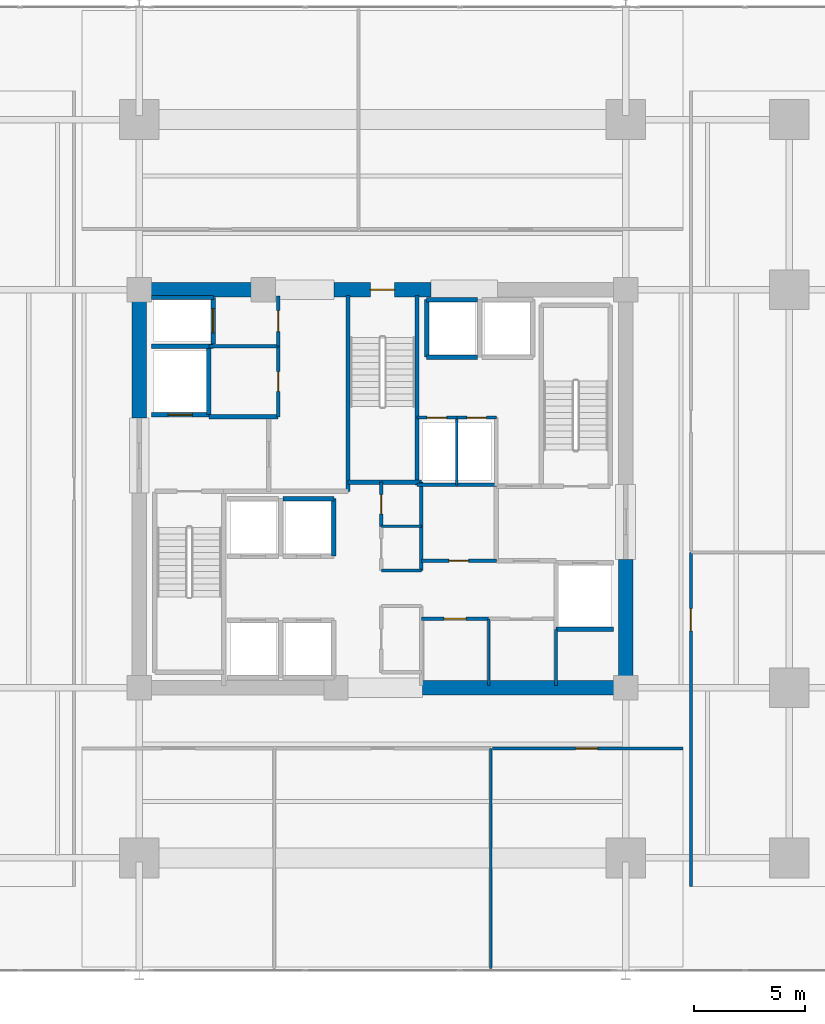
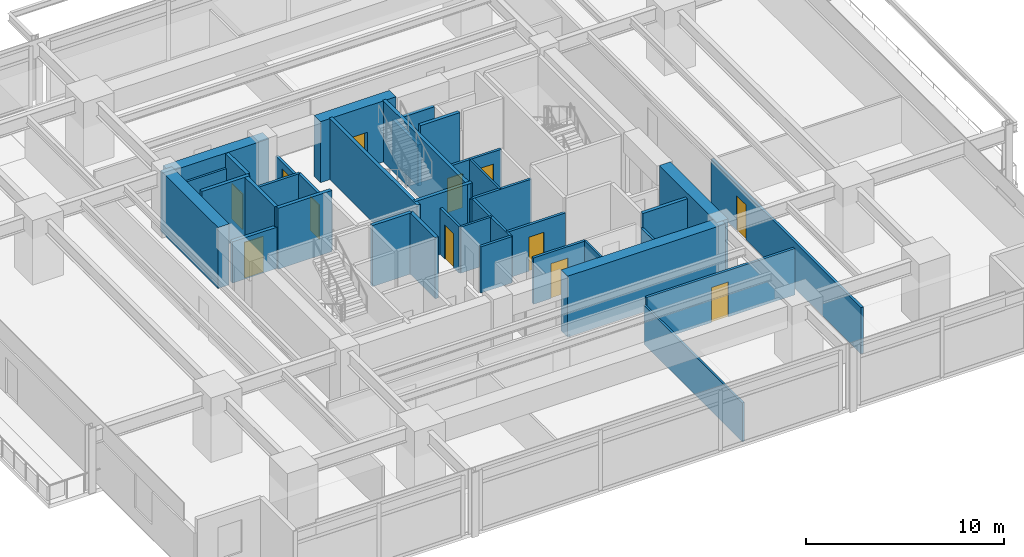
# One storey, part 14 of 20: 38 walls, 12 doors, 12 openings.
"""IFC4 building model written with IfcOpenShell, lengths in metres."""

from ifc_helpers import new_model, si_unit, direction, frame, frame_2d, origin, place, context, subcontext, project, spatial, rectangle, extrude, material, layer, layer_set, type_object, element, fill, save


model = new_model("IFC4")

# Units and contexts
model_context = context("Model", 3, precision=1e-05, world=origin(), true_north=direction((0.0, 1.0)))
body_context = subcontext(model_context, "Body", "Model", "MODEL_VIEW")
ifc_project = project(units=[si_unit("LENGTHUNIT", "METRE"), si_unit("AREAUNIT", "SQUARE_METRE"), si_unit("VOLUMEUNIT", "CUBIC_METRE"), si_unit("PLANEANGLEUNIT", "RADIAN"), si_unit("MASSUNIT", "GRAM", prefix="KILO")], contexts=[model_context])

# Site, building, storey
site_placement = place(None, origin())
site = spatial("IfcSite", under=ifc_project, at=site_placement, CompositionType="ELEMENT")
building_placement = place(site_placement, origin())
building = spatial("IfcBuilding", under=site, at=building_placement, Name="Kovane Verandah Tower", CompositionType="ELEMENT")
storey_placement = place(building_placement, frame((0.0, 0.0, 35.60009765625)))
storey = spatial("IfcBuildingStorey", under=building, at=storey_placement, Name="L07", CompositionType="ELEMENT", Elevation=35.60009765625)

# Walls
ifc_material_1 = material(Name="Fire-Rated Gypsum Stud Partition", Category="gypsum")
ifc_layer_1 = layer(ifc_material_1, 0.14990234375)
ifc_layer_set_1 = layer_set([ifc_layer_1], Name="Fire-Rated Gypsum Stud Partition")
wall_type_1 = type_object("IfcWallType", Name="WL-COR-150", PredefinedType="PARTITIONING", material=ifc_layer_set_1)
wall_1_placement = place(storey_placement, frame((39.949951171875, 23.800048828125, 0.0), z_axis=(0.0, 0.0, 1.0), x_axis=(1.0, 0.0, 0.0)))
element("IfcWall", 1, at=wall_1_placement, inside=storey, type_object=wall_type_1, Name="L07 Core Cross-Passage North Wall", PredefinedType="PARTITIONING", context=body_context, shape_type="SweptSolid", body=[
    extrude(rectangle(XDim=1.81005859375, YDim=0.14990234375, at=frame_2d((0.905029296875, 0.0))), origin(), (0.0, 0.0, 1.0), 2.849853515625),
])
wall_2_placement = place(storey_placement, frame((41.760009765625, 23.800048828125, 0.0), z_axis=(0.0, 0.0, 1.0), x_axis=(0.0, 1.0, 0.0)))
element("IfcWall", 2, at=wall_2_placement, inside=storey, type_object=wall_type_1, Name="L07 Central Core Strip Upper East Wall", PredefinedType="PARTITIONING", context=body_context, shape_type="SweptSolid", body=[
    extrude(rectangle(XDim=4.0, YDim=0.14990234375, at=frame_2d((2.0, 0.0))), origin(), (0.0, 0.0, 1.0), 2.849853515625),
])

# Wall, opening, door
wall_3_placement = place(storey_placement, frame((39.949951171875, 25.800048828125, 0.0), z_axis=(0.0, 0.0, 1.0), x_axis=(0.0, 1.0, 0.0)))
wall_3 = element("IfcWall", 3, at=wall_3_placement, inside=storey, type_object=wall_type_1, Name="L07 Electrical Riser Room Partition", PredefinedType="PARTITIONING", context=body_context, shape_type="SweptSolid", body=[
    extrude(rectangle(XDim=2.0, YDim=0.14990234375, at=frame_2d((1.0, 0.0))), origin(), (0.0, 0.0, 1.0), 2.849853515625),
])
opening_1_placement = place(wall_3_placement, frame((0.56005859375, 0.0, 0.0)))
opening_1 = element("IfcOpeningElement", 4, at=opening_1_placement, cuts=wall_3, Name="Opening DR-L07-024", PredefinedType="OPENING", context=body_context, shape_type="SweptSolid", body=[
    extrude(rectangle(XDim=0.8798828125, YDim=2.10009765625, at=frame_2d((0.43994140625, 1.050048828125))), frame((0.0, 0.074951171875, 0.0), z_axis=(0.0, -1.0, 0.0), x_axis=(1.0, 0.0, 0.0)), (0.0, 0.0, 1.0), 0.14990234375),
])
ifc_material_2 = material(Name="Fire-Rated Steel Riser Access Door", Category="steel")
door_type_1 = type_object("IfcDoorType", Name="DR-RISER-880", OperationType="SINGLE_SWING_LEFT", PredefinedType="DOOR", material=ifc_material_2)
door_1_placement = place(opening_1_placement, origin())
door_1 = element("IfcDoor", 5, at=door_1_placement, inside=storey, type_object=door_type_1, Name="L07 Electrical Riser Room Door", OperationType="SINGLE_SWING_LEFT", OverallHeight=2.10009765625, OverallWidth=0.8798828125, PredefinedType="DOOR", context=body_context, shape_type="SweptSolid", body=[
    extrude(rectangle(XDim=0.8798828125, YDim=2.10009765625, at=frame_2d((0.43994140625, 1.050048828125))), frame((0.0, 0.02490234375, 0.0), z_axis=(0.0, -1.0, 0.0), x_axis=(1.0, 0.0, 0.0)), (0.0, 0.0, 1.0), 0.050048828125),
])
fill(opening_1, door_1)

# Wall
wall_4_placement = place(storey_placement, frame((32.14990234375, 33.949951171875, 0.0), z_axis=(0.0, 0.0, 1.0), x_axis=(1.0, 0.0, 0.0)))
element("IfcWall", 6, at=wall_4_placement, inside=storey, type_object=wall_type_1, Name="L07 Goods Lift Lobby South Wall", PredefinedType="PARTITIONING", context=body_context, shape_type="SweptSolid", body=[
    extrude(rectangle(XDim=3.130126953125, YDim=0.14990234375, at=frame_2d((1.56494140625, 0.0))), origin(), (0.0, 0.0, 1.0), 2.849853515625),
])

# Wall, opening, door
wall_5_placement = place(storey_placement, frame((35.280029296875, 33.949951171875, 0.0), z_axis=(0.0, 0.0, 1.0), x_axis=(0.0, 1.0, 0.0)))
wall_5 = element("IfcWall", 7, at=wall_5_placement, inside=storey, type_object=wall_type_1, Name="L07 Goods Lift Lobby East Fire Partition", PredefinedType="PARTITIONING", context=body_context, shape_type="SweptSolid", body=[
    extrude(rectangle(XDim=2.27001953125, YDim=0.14990234375, at=frame_2d((1.135009765625, 0.0))), origin(), (0.0, 0.0, 1.0), 2.539794921875),
])
opening_2_placement = place(wall_5_placement, frame((0.659912109375, 0.0, 0.0)))
opening_2 = element("IfcOpeningElement", 8, at=opening_2_placement, cuts=wall_5, Name="Opening DR-L07-008", PredefinedType="OPENING", context=body_context, shape_type="SweptSolid", body=[
    extrude(rectangle(XDim=0.949951171875, YDim=2.14990234375, at=frame_2d((0.47509765625, 1.074951171875))), frame((0.0, 0.074951171875, 0.0), z_axis=(0.0, -1.0, 0.0), x_axis=(1.0, 0.0, 0.0)), (0.0, 0.0, 1.0), 0.14990234375),
])
ifc_material_3 = material(Name="Fire-Rated Steel Refuge and Lobby Door", Category="steel")
door_type_2 = type_object("IfcDoorType", Name="DR-FIRE-950", OperationType="SINGLE_SWING_LEFT", PredefinedType="DOOR", material=ifc_material_3)
door_2_placement = place(opening_2_placement, origin())
door_2 = element("IfcDoor", 9, at=door_2_placement, inside=storey, type_object=door_type_2, Name="L07 Goods Lift Lobby Fire Door", OperationType="SINGLE_SWING_RIGHT", OverallHeight=2.14990234375, OverallWidth=0.949951171875, PredefinedType="DOOR", context=body_context, shape_type="SweptSolid", body=[
    extrude(rectangle(XDim=0.949951171875, YDim=2.14990234375, at=frame_2d((0.47509765625, 1.074951171875))), frame((0.0, 0.02490234375, 0.0), z_axis=(0.0, -1.0, 0.0), x_axis=(1.0, 0.0, 0.0)), (0.0, 0.0, 1.0), 0.050048828125),
])
fill(opening_2, door_2)

wall_6_placement = place(storey_placement, frame((35.280029296875, 30.75, 0.0), z_axis=(0.0, 0.0, 1.0), x_axis=(0.0, 1.0, 0.0)))
wall_6 = element("IfcWall", 10, at=wall_6_placement, inside=storey, type_object=wall_type_1, Name="L07 Accessible Unisex Toilet Partition", PredefinedType="PARTITIONING", context=body_context, shape_type="SweptSolid", body=[
    extrude(rectangle(XDim=3.199951171875, YDim=0.14990234375, at=frame_2d((1.60009765625, 0.0))), origin(), (0.0, 0.0, 1.0), 2.849853515625),
])
opening_3_placement = place(wall_6_placement, frame((1.14990234375, 0.0, 0.0)))
opening_3 = element("IfcOpeningElement", 11, at=opening_3_placement, cuts=wall_6, Name="Opening DR-L07-025", PredefinedType="OPENING", context=body_context, shape_type="SweptSolid", body=[
    extrude(rectangle(XDim=0.89990234375, YDim=2.10009765625, at=frame_2d((0.449951171875, 1.050048828125))), frame((0.0, 0.074951171875, 0.0), z_axis=(0.0, -1.0, 0.0), x_axis=(1.0, 0.0, 0.0)), (0.0, 0.0, 1.0), 0.14990234375),
])
ifc_material_4 = material(Name="Moisture-Resistant Laminate Washroom Door", Category="wood")
door_type_3 = type_object("IfcDoorType", Name="DR-WC-900", OperationType="SINGLE_SWING_LEFT", PredefinedType="DOOR", material=ifc_material_4)
door_3_placement = place(opening_3_placement, origin())
door_3 = element("IfcDoor", 12, at=door_3_placement, inside=storey, type_object=door_type_3, Name="L07 Accessible Unisex Toilet Door", OperationType="SINGLE_SWING_LEFT", OverallHeight=2.10009765625, OverallWidth=0.89990234375, PredefinedType="DOOR", context=body_context, shape_type="SweptSolid", body=[
    extrude(rectangle(XDim=0.89990234375, YDim=2.10009765625, at=frame_2d((0.449951171875, 1.050048828125))), frame((0.0, 0.02490234375, 0.0), z_axis=(0.0, -1.0, 0.0), x_axis=(1.0, 0.0, 0.0)), (0.0, 0.0, 1.0), 0.050048828125),
])
fill(opening_3, door_3)

# Walls
wall_7_placement = place(storey_placement, frame((41.56005859375, 27.679931640625, 0.0), z_axis=(0.0, 0.0, 1.0), x_axis=(1.0, 0.0, 0.0)))
element("IfcWall", 13, at=wall_7_placement, inside=storey, type_object=wall_type_1, Name="L07 East Core Service Riser South Wall", PredefinedType="PARTITIONING", context=body_context, shape_type="SweptSolid", body=[
    extrude(rectangle(XDim=3.58984375, YDim=0.14990234375, at=frame_2d((1.794921875, 0.0))), origin(), (0.0, 0.0, 1.0), 2.849853515625),
])
wall_8_placement = place(storey_placement, frame((47.85009765625, 18.60009765625, 0.0), z_axis=(0.0, 0.0, 1.0), x_axis=(0.0, 1.0, 0.0)))
element("IfcWall", 14, at=wall_8_placement, inside=storey, type_object=wall_type_1, Name="L07 East Core Support East Wall", PredefinedType="PARTITIONING", context=body_context, shape_type="SweptSolid", body=[
    extrude(rectangle(XDim=2.539794921875, YDim=0.14990234375, at=frame_2d((1.27001953125, 0.0))), origin(), (0.0, 0.0, 1.0), 2.849853515625),
])

# Wall, opening, door
wall_9_placement = place(storey_placement, frame((41.760009765625, 21.6201171875, 0.0), z_axis=(0.0, 0.0, 1.0), x_axis=(1.0, 0.0, 0.0)))
wall_9 = element("IfcWall", 15, at=wall_9_placement, inside=storey, type_object=wall_type_1, Name="L07 AV Control Room Partition", PredefinedType="PARTITIONING", context=body_context, shape_type="SweptSolid", body=[
    extrude(rectangle(XDim=3.0400390625, YDim=0.14990234375, at=frame_2d((1.52001953125, 0.0))), origin(), (0.0, 0.0, 1.0), 2.849853515625),
])
opening_4_placement = place(wall_9_placement, frame((1.02001953125, 0.0, 0.0)))
opening_4 = element("IfcOpeningElement", 16, at=opening_4_placement, cuts=wall_9, Name="Opening DR-L07-014", PredefinedType="OPENING", context=body_context, shape_type="SweptSolid", body=[
    extrude(rectangle(XDim=1.0, YDim=2.14990234375, at=frame_2d((0.5, 1.074951171875))), frame((0.0, 0.074951171875, 0.0), z_axis=(0.0, -1.0, 0.0), x_axis=(1.0, 0.0, 0.0)), (0.0, 0.0, 1.0), 0.14990234375),
])
ifc_material_5 = material(Name="FSC Spotted-Gum Timber Fire-Rated Office Door", Category="wood")
door_type_4 = type_object("IfcDoorType", Name="DR-OFF-1000", OperationType="SINGLE_SWING_LEFT", PredefinedType="DOOR", material=ifc_material_5)
door_4_placement = place(opening_4_placement, origin())
door_4 = element("IfcDoor", 17, at=door_4_placement, inside=storey, type_object=door_type_4, Name="L07 AV Control Room Door", OperationType="SINGLE_SWING_RIGHT", OverallHeight=2.14990234375, OverallWidth=1.0, PredefinedType="DOOR", context=body_context, shape_type="SweptSolid", body=[
    extrude(rectangle(XDim=1.0, YDim=2.14990234375, at=frame_2d((0.5, 1.074951171875))), frame((0.0, 0.02490234375, 0.0), z_axis=(0.0, -1.0, 0.0), x_axis=(1.0, 0.0, 0.0)), (0.0, 0.0, 1.0), 0.050048828125),
])
fill(opening_4, door_4)

wall_10_placement = place(storey_placement, frame((41.760009765625, 24.25, 0.0), z_axis=(0.0, 0.0, 1.0), x_axis=(1.0, 0.0, 0.0)))
wall_10 = element("IfcWall", 18, at=wall_10_placement, inside=storey, type_object=wall_type_1, Name="L07 Cleaner Store Partition", PredefinedType="PARTITIONING", context=body_context, shape_type="SweptSolid", body=[
    extrude(rectangle(XDim=3.389892578125, YDim=0.14990234375, at=frame_2d((1.69482421875, 0.0))), origin(), (0.0, 0.0, 1.0), 2.849853515625),
])
opening_5_placement = place(wall_10_placement, frame((1.2548828125, 0.0, 0.0)))
opening_5 = element("IfcOpeningElement", 19, at=opening_5_placement, cuts=wall_10, Name="Opening DR-L07-016", PredefinedType="OPENING", context=body_context, shape_type="SweptSolid", body=[
    extrude(rectangle(XDim=0.8798828125, YDim=2.10009765625, at=frame_2d((0.43994140625, 1.050048828125))), frame((0.0, 0.074951171875, 0.0), z_axis=(0.0, -1.0, 0.0), x_axis=(1.0, 0.0, 0.0)), (0.0, 0.0, 1.0), 0.14990234375),
])
door_5_placement = place(opening_5_placement, origin())
door_5 = element("IfcDoor", 20, at=door_5_placement, inside=storey, type_object=door_type_1, Name="L07 Cleaner Store Door", OperationType="SINGLE_SWING_RIGHT", OverallHeight=2.10009765625, OverallWidth=0.8798828125, PredefinedType="DOOR", context=body_context, shape_type="SweptSolid", body=[
    extrude(rectangle(XDim=0.8798828125, YDim=2.10009765625, at=frame_2d((0.43994140625, 1.050048828125))), frame((0.0, 0.02490234375, 0.0), z_axis=(0.0, -1.0, 0.0), x_axis=(1.0, 0.0, 0.0)), (0.0, 0.0, 1.0), 0.050048828125),
])
fill(opening_5, door_5)

wall_11_placement = place(storey_placement, frame((41.56005859375, 30.719970703125, 0.0), z_axis=(0.0, 0.0, 1.0), x_axis=(1.0, 0.0, 0.0)))
wall_11 = element("IfcWall", 21, at=wall_11_placement, inside=storey, type_object=wall_type_1, Name="L07 Chilled Water Riser Room Partition", PredefinedType="PARTITIONING", context=body_context, shape_type="SweptSolid", body=[
    extrude(rectangle(XDim=1.800048828125, YDim=0.14990234375, at=frame_2d((0.89990234375, 0.0))), origin(), (0.0, 0.0, 1.0), 2.849853515625),
])
opening_6_placement = place(wall_11_placement, frame((0.4599609375, 0.0, 0.0)))
opening_6 = element("IfcOpeningElement", 22, at=opening_6_placement, cuts=wall_11, Name="Opening DR-L07-017", PredefinedType="OPENING", context=body_context, shape_type="SweptSolid", body=[
    extrude(rectangle(XDim=0.8798828125, YDim=2.10009765625, at=frame_2d((0.43994140625, 1.050048828125))), frame((0.0, 0.074951171875, 0.0), z_axis=(0.0, -1.0, 0.0), x_axis=(1.0, 0.0, 0.0)), (0.0, 0.0, 1.0), 0.14990234375),
])
door_6_placement = place(opening_6_placement, origin())
door_6 = element("IfcDoor", 23, at=door_6_placement, inside=storey, type_object=door_type_1, Name="L07 Chilled Water Riser Room Door", OperationType="SINGLE_SWING_LEFT", OverallHeight=2.10009765625, OverallWidth=0.8798828125, PredefinedType="DOOR", context=body_context, shape_type="SweptSolid", body=[
    extrude(rectangle(XDim=0.8798828125, YDim=2.10009765625, at=frame_2d((0.43994140625, 1.050048828125))), frame((0.0, 0.02490234375, 0.0), z_axis=(0.0, -1.0, 0.0), x_axis=(1.0, 0.0, 0.0)), (0.0, 0.0, 1.0), 0.050048828125),
])
fill(opening_6, door_6)

wall_12_placement = place(storey_placement, frame((43.360107421875, 30.719970703125, 0.0), z_axis=(0.0, 0.0, 1.0), x_axis=(1.0, 0.0, 0.0)))
wall_12 = element("IfcWall", 24, at=wall_12_placement, inside=storey, type_object=wall_type_1, Name="L07 Smoke Extract Duct Room Partition", PredefinedType="PARTITIONING", context=body_context, shape_type="SweptSolid", body=[
    extrude(rectangle(XDim=1.789794921875, YDim=0.14990234375, at=frame_2d((0.89501953125, 0.0))), origin(), (0.0, 0.0, 1.0), 2.849853515625),
])
opening_7_placement = place(wall_12_placement, frame((0.455078125, 0.0, 0.0)))
opening_7 = element("IfcOpeningElement", 25, at=opening_7_placement, cuts=wall_12, Name="Opening DR-L07-018", PredefinedType="OPENING", context=body_context, shape_type="SweptSolid", body=[
    extrude(rectangle(XDim=0.8798828125, YDim=2.10009765625, at=frame_2d((0.43994140625, 1.050048828125))), frame((0.0, 0.074951171875, 0.0), z_axis=(0.0, -1.0, 0.0), x_axis=(1.0, 0.0, 0.0)), (0.0, 0.0, 1.0), 0.14990234375),
])
door_7_placement = place(opening_7_placement, origin())
door_7 = element("IfcDoor", 26, at=door_7_placement, inside=storey, type_object=door_type_1, Name="L07 Smoke Extract Duct Room Door", OperationType="SINGLE_SWING_RIGHT", OverallHeight=2.10009765625, OverallWidth=0.8798828125, PredefinedType="DOOR", context=body_context, shape_type="SweptSolid", body=[
    extrude(rectangle(XDim=0.8798828125, YDim=2.10009765625, at=frame_2d((0.43994140625, 1.050048828125))), frame((0.0, 0.02490234375, 0.0), z_axis=(0.0, -1.0, 0.0), x_axis=(1.0, 0.0, 0.0)), (0.0, 0.0, 1.0), 0.050048828125),
])
fill(opening_7, door_7)

wall_13_placement = place(storey_placement, frame((44.966064453125, 15.75, 0.0), z_axis=(0.0, 0.0, 1.0), x_axis=(1.0, 0.0, 0.0)))
wall_13 = element("IfcWall", 27, at=wall_13_placement, inside=storey, type_object=wall_type_1, Name="L07 Focus Studio S3 Corridor Partition", PredefinedType="PARTITIONING", context=body_context, shape_type="SweptSolid", body=[
    extrude(rectangle(XDim=8.634033203125, YDim=0.14990234375, at=frame_2d((4.31689453125, 0.0))), origin(), (0.0, 0.0, 1.0), 2.849853515625),
])
opening_8_placement = place(wall_13_placement, frame((3.76708984375, 0.0, 0.0)))
opening_8 = element("IfcOpeningElement", 28, at=opening_8_placement, cuts=wall_13, Name="Opening DR-L07-023", PredefinedType="OPENING", context=body_context, shape_type="SweptSolid", body=[
    extrude(rectangle(XDim=1.0, YDim=2.14990234375, at=frame_2d((0.5, 1.074951171875))), frame((0.0, 0.074951171875, 0.0), z_axis=(0.0, -1.0, 0.0), x_axis=(1.0, 0.0, 0.0)), (0.0, 0.0, 1.0), 0.14990234375),
])
door_8_placement = place(opening_8_placement, origin())
door_8 = element("IfcDoor", 29, at=door_8_placement, inside=storey, type_object=door_type_4, Name="L07 Focus Studio S3 Entrance Door", OperationType="SINGLE_SWING_LEFT", OverallHeight=2.14990234375, OverallWidth=1.0, PredefinedType="DOOR", context=body_context, shape_type="SweptSolid", body=[
    extrude(rectangle(XDim=1.0, YDim=2.14990234375, at=frame_2d((0.5, 1.074951171875))), frame((0.0, 0.02490234375, 0.0), z_axis=(0.0, -1.0, 0.0), x_axis=(1.0, 0.0, 0.0)), (0.0, 0.0, 1.0), 0.050048828125),
])
fill(opening_8, door_8)

wall_14_placement = place(storey_placement, frame((53.949951171875, 9.5107421875, 0.0), z_axis=(0.0, 0.0, 1.0), x_axis=(0.0, 1.0, 0.0)))
wall_14 = element("IfcWall", 30, at=wall_14_placement, inside=storey, type_object=wall_type_1, Name="L07 Collaboration Hub E1 Corridor Partition", PredefinedType="PARTITIONING", context=body_context, shape_type="SweptSolid", body=[
    extrude(rectangle(XDim=15.11083984375, YDim=0.14990234375, at=frame_2d((7.555419921875, 0.0))), origin(), (0.0, 0.0, 1.0), 2.849853515625),
])
opening_9_placement = place(wall_14_placement, frame((11.565185546875, 0.0, 0.0)))
opening_9 = element("IfcOpeningElement", 31, at=opening_9_placement, cuts=wall_14, Name="Opening DR-L07-012", PredefinedType="OPENING", context=body_context, shape_type="SweptSolid", body=[
    extrude(rectangle(XDim=1.0, YDim=2.14990234375, at=frame_2d((0.5, 1.074951171875))), frame((0.0, 0.074951171875, 0.0), z_axis=(0.0, -1.0, 0.0), x_axis=(1.0, 0.0, 0.0)), (0.0, 0.0, 1.0), 0.14990234375),
])
door_9_placement = place(opening_9_placement, origin())
door_9 = element("IfcDoor", 32, at=door_9_placement, inside=storey, type_object=door_type_4, Name="L07 Collaboration Hub E1 Entrance Door", OperationType="SINGLE_SWING_LEFT", OverallHeight=2.14990234375, OverallWidth=1.0, PredefinedType="DOOR", context=body_context, shape_type="SweptSolid", body=[
    extrude(rectangle(XDim=1.0, YDim=2.14990234375, at=frame_2d((0.5, 1.074951171875))), frame((0.0, 0.02490234375, 0.0), z_axis=(0.0, -1.0, 0.0), x_axis=(1.0, 0.0, 0.0)), (0.0, 0.0, 1.0), 0.050048828125),
])
fill(opening_9, door_9)

# Walls
ifc_material_6 = material(Name="Concrete C80/95", Category="concrete")
ifc_layer_2 = layer(ifc_material_6, 0.64990234375)
ifc_layer_set_2 = layer_set([ifc_layer_2], Name="Concrete C80/95")
wall_type_2 = type_object("IfcWallType", Name="WL-CORE-650", PredefinedType="SHEAR", material=ifc_layer_set_2)
wall_15_placement = place(storey_placement, frame((41.800048828125, 18.5, 0.0), z_axis=(0.0, 0.0, 1.0), x_axis=(1.0, 0.0, 0.0)))
element("IfcWall", 33, at=wall_15_placement, inside=storey, type_object=wall_type_2, Name="L07 Core Shear Wall CS-2", PredefinedType="SHEAR", context=body_context, shape_type="SweptSolid", body=[
    extrude(rectangle(XDim=9.199951171875, YDim=0.64990234375, at=frame_2d((4.60009765625, 0.0))), origin(), (0.0, 0.0, 1.0), 3.760009765625),
])
wall_16_placement = place(storey_placement, frame((29.0, 36.5, 0.0), z_axis=(0.0, 0.0, 1.0), x_axis=(1.0, 0.0, 0.0)))
element("IfcWall", 34, at=wall_16_placement, inside=storey, type_object=wall_type_2, Name="L07 Core Shear Wall CN-1", PredefinedType="SHEAR", context=body_context, shape_type="SweptSolid", body=[
    extrude(rectangle(XDim=5.800048828125, YDim=0.64990234375, at=frame_2d((2.89990234375, 0.0))), origin(), (0.0, 0.0, 1.0), 3.760009765625),
])

# Wall, opening, door
wall_17_placement = place(storey_placement, frame((37.800048828125, 36.5, 0.0), z_axis=(0.0, 0.0, 1.0), x_axis=(1.0, 0.0, 0.0)))
wall_17 = element("IfcWall", 35, at=wall_17_placement, inside=storey, type_object=wall_type_2, Name="L07 Core Shear Wall CN-2", PredefinedType="SHEAR", context=body_context, shape_type="SweptSolid", body=[
    extrude(rectangle(XDim=4.39990234375, YDim=0.64990234375, at=frame_2d((2.199951171875, 0.0))), origin(), (0.0, 0.0, 1.0), 3.760009765625),
])
opening_10_placement = place(wall_17_placement, frame((1.64990234375, 0.0, 0.0)))
opening_10 = element("IfcOpeningElement", 36, at=opening_10_placement, cuts=wall_17, Name="Opening DR-L07-011", PredefinedType="OPENING", context=body_context, shape_type="SweptSolid", body=[
    extrude(rectangle(XDim=1.10009765625, YDim=2.14990234375, at=frame_2d((0.550048828125, 1.074951171875))), frame((0.0, 0.324951171875, 0.0), z_axis=(0.0, -1.0, 0.0), x_axis=(1.0, 0.0, 0.0)), (0.0, 0.0, 1.0), 0.64990234375),
])
ifc_material_7 = material(Name="Fire-Rated Steel Exit Door", Category="steel")
door_type_5 = type_object("IfcDoorType", Name="DR-STAIR-1100", OperationType="SINGLE_SWING_LEFT", PredefinedType="DOOR", material=ifc_material_7)
door_10_placement = place(opening_10_placement, origin())
door_10 = element("IfcDoor", 37, at=door_10_placement, inside=storey, type_object=door_type_5, Name="L07 ST-03 Fire Exit Stair Door", OperationType="SINGLE_SWING_RIGHT", OverallHeight=2.14990234375, OverallWidth=1.10009765625, PredefinedType="DOOR", context=body_context, shape_type="SweptSolid", body=[
    extrude(rectangle(XDim=1.10009765625, YDim=2.14990234375, at=frame_2d((0.550048828125, 1.074951171875))), frame((0.0, 0.02490234375, 0.0), z_axis=(0.0, -1.0, 0.0), x_axis=(1.0, 0.0, 0.0)), (0.0, 0.0, 1.0), 0.050048828125),
])
fill(opening_10, door_10)

# Walls
for number, where, z_axis, x_axis, name in (
    (38, (29.0, 30.699951171875, 0.0), (0.0, 0.0, 1.0), (0.0, 1.0, 0.0), "L07 Core Shear Wall CW-2"),
    (39, (51.0, 18.5, 0.0), (0.0, 0.0, 1.0), (0.0, 1.0, 0.0), "L07 Core Shear Wall CE-1"),
):
    element("IfcWall", number, at=place(storey_placement, frame(where, z_axis=z_axis, x_axis=x_axis)), inside=storey, type_object=wall_type_2, Name=name, PredefinedType="SHEAR", context=body_context, shape_type="SweptSolid", body=[
        extrude(rectangle(XDim=5.800048828125, YDim=0.64990234375, at=frame_2d((2.89990234375, 0.0))), origin(), (0.0, 0.0, 1.0), 3.760009765625),
    ])
ifc_material_8 = material(Name="Concrete C45/55 Fire Wall", Category="concrete")
ifc_layer_3 = layer(ifc_material_8, 0.199951171875)
ifc_layer_set_3 = layer_set([ifc_layer_3], Name="Concrete C45/55 Fire Wall")
wall_type_3 = type_object("IfcWallType", Name="WL-FFL-200", PredefinedType="PARTITIONING", material=ifc_layer_set_3)
wall_18_placement = place(storey_placement, frame((32.14990234375, 30.75, 0.0), z_axis=(0.0, 0.0, 1.0), x_axis=(1.0, 0.0, 0.0)))
element("IfcWall", 40, at=wall_18_placement, inside=storey, type_object=wall_type_3, Name="L07 West Firefighting Lobby North Fire Wall", PredefinedType="PARTITIONING", context=body_context, shape_type="SweptSolid", body=[
    extrude(rectangle(XDim=3.130126953125, YDim=0.199951171875, at=frame_2d((1.56494140625, 0.0))), origin(), (0.0, 0.0, 1.0), 3.760009765625),
])

# Wall, opening, door
ifc_material_9 = material(Name="Concrete C45/55 Lift Shaft Wall", Category="concrete")
ifc_layer_4 = layer(ifc_material_9, 0.199951171875)
ifc_layer_set_4 = layer_set([ifc_layer_4], Name="Concrete C45/55 Lift Shaft Wall")
wall_type_4 = type_object("IfcWallType", Name="WL-LIFT-200", PredefinedType="SOLIDWALL", material=ifc_layer_set_4)
wall_19_placement = place(storey_placement, frame((29.550048828125, 30.85009765625, 0.0), z_axis=(0.0, 0.0, 1.0), x_axis=(1.0, 0.0, 0.0)))
wall_19 = element("IfcWall", 41, at=wall_19_placement, inside=storey, type_object=wall_type_4, Name="L07 Lift FL-01 S Shaft Wall", PredefinedType="SOLIDWALL", context=body_context, shape_type="SweptSolid", body=[
    extrude(rectangle(XDim=2.599853515625, YDim=0.199951171875, at=frame_2d((1.2998046875, 0.0))), origin(), (0.0, 0.0, 1.0), 2.539794921875),
])
opening_11_placement = place(wall_19_placement, frame((0.75, 0.0, 0.0)))
opening_11 = element("IfcOpeningElement", 42, at=opening_11_placement, cuts=wall_19, Name="Opening LD-L07-001", PredefinedType="OPENING", context=body_context, shape_type="SweptSolid", body=[
    extrude(rectangle(XDim=1.10009765625, YDim=2.199951171875, at=frame_2d((0.550048828125, 1.10009765625))), frame((0.0, 0.10009765625, 0.0), z_axis=(0.0, -1.0, 0.0), x_axis=(1.0, 0.0, 0.0)), (0.0, 0.0, 1.0), 0.199951171875),
])
ifc_material_10 = material(Name="Brushed Stainless Steel Sliding Lift Landing Door", Category="steel")
door_type_6 = type_object("IfcDoorType", Name="DR-LIFT-1100", OperationType="SLIDING_TO_RIGHT", PredefinedType="DOOR", material=ifc_material_10)
door_11_placement = place(opening_11_placement, origin())
door_11 = element("IfcDoor", 43, at=door_11_placement, inside=storey, type_object=door_type_6, Name="L07 Lift FL-01 Sliding Landing Door", OperationType="SLIDING_TO_RIGHT", OverallHeight=2.199951171875, OverallWidth=1.10009765625, PredefinedType="DOOR", context=body_context, shape_type="SweptSolid", body=[
    extrude(rectangle(XDim=1.10009765625, YDim=2.199951171875, at=frame_2d((0.550048828125, 1.10009765625))), frame((0.0, 0.02490234375, 0.0), z_axis=(0.0, -1.0, 0.0), x_axis=(1.0, 0.0, 0.0)), (0.0, 0.0, 1.0), 0.050048828125),
])
fill(opening_11, door_11)

# Walls
wall_20_placement = place(storey_placement, frame((29.550048828125, 33.949951171875, 0.0), z_axis=(0.0, 0.0, 1.0), x_axis=(1.0, 0.0, 0.0)))
element("IfcWall", 44, at=wall_20_placement, inside=storey, type_object=wall_type_4, Name="L07 Lift FL-01 and GL-01 Shared Shaft Wall", PredefinedType="SOLIDWALL", context=body_context, shape_type="SweptSolid", body=[
    extrude(rectangle(XDim=2.800048828125, YDim=0.199951171875, at=frame_2d((1.39990234375, 0.0))), origin(), (0.0, 0.0, 1.0), 3.760009765625),
])
wall_21_placement = place(storey_placement, frame((32.14990234375, 30.85009765625, 0.0), z_axis=(0.0, 0.0, 1.0), x_axis=(0.0, 1.0, 0.0)))
element("IfcWall", 45, at=wall_21_placement, inside=storey, type_object=wall_type_4, Name="L07 Lift FL-01 E Shaft Wall", PredefinedType="SOLIDWALL", context=body_context, shape_type="SweptSolid", body=[
    extrude(rectangle(XDim=3.0, YDim=0.199951171875, at=frame_2d((1.5, 0.0))), origin(), (0.0, 0.0, 1.0), 3.760009765625),
])
wall_22_placement = place(storey_placement, frame((47.85009765625, 21.14990234375, 0.0), z_axis=(0.0, 0.0, 1.0), x_axis=(1.0, 0.0, 0.0)))
element("IfcWall", 46, at=wall_22_placement, inside=storey, type_object=wall_type_4, Name="L07 Lift FL-02 S Shaft Wall", PredefinedType="SOLIDWALL", context=body_context, shape_type="SweptSolid", body=[
    extrude(rectangle(XDim=2.599853515625, YDim=0.199951171875, at=frame_2d((1.2998046875, 0.0))), origin(), (0.0, 0.0, 1.0), 3.760009765625),
])
wall_23_placement = place(storey_placement, frame((32.35009765625, 36.14990234375, 0.0), z_axis=(0.0, 0.0, 1.0), x_axis=(-1.0, 0.0, 0.0)))
element("IfcWall", 47, at=wall_23_placement, inside=storey, type_object=wall_type_4, Name="L07 Lift GL-01 N Shaft Wall", PredefinedType="SOLIDWALL", context=body_context, shape_type="SweptSolid", body=[
    extrude(rectangle(XDim=2.800048828125, YDim=0.199951171875, at=frame_2d((1.39990234375, 0.0))), origin(), (0.0, 0.0, 1.0), 2.88916015625),
])

# Wall, opening, door
wall_24_placement = place(storey_placement, frame((32.35009765625, 34.050048828125, 0.0), z_axis=(0.0, 0.0, 1.0), x_axis=(0.0, 1.0, 0.0)))
wall_24 = element("IfcWall", 48, at=wall_24_placement, inside=storey, type_object=wall_type_4, Name="L07 Lift GL-01 E Shaft Wall", PredefinedType="SOLIDWALL", context=body_context, shape_type="SweptSolid", body=[
    extrude(rectangle(XDim=2.099853515625, YDim=0.199951171875, at=frame_2d((1.0498046875, 0.0))), origin(), (0.0, 0.0, 1.0), 3.760009765625),
])
opening_12_placement = place(wall_24_placement, frame((0.5, 0.0, 0.0)))
opening_12 = element("IfcOpeningElement", 49, at=opening_12_placement, cuts=wall_24, Name="Opening LD-L07-003", PredefinedType="OPENING", context=body_context, shape_type="SweptSolid", body=[
    extrude(rectangle(XDim=1.10009765625, YDim=2.199951171875, at=frame_2d((0.550048828125, 1.10009765625))), frame((0.0, 0.10009765625, 0.0), z_axis=(0.0, -1.0, 0.0), x_axis=(1.0, 0.0, 0.0)), (0.0, 0.0, 1.0), 0.199951171875),
])
door_12_placement = place(opening_12_placement, origin())
door_12 = element("IfcDoor", 50, at=door_12_placement, inside=storey, type_object=door_type_6, Name="L07 Lift GL-01 Sliding Landing Door", OperationType="SLIDING_TO_RIGHT", OverallHeight=2.199951171875, OverallWidth=1.10009765625, PredefinedType="DOOR", context=body_context, shape_type="SweptSolid", body=[
    extrude(rectangle(XDim=1.10009765625, YDim=2.199951171875, at=frame_2d((0.550048828125, 1.10009765625))), frame((0.0, 0.02490234375, 0.0), z_axis=(0.0, -1.0, 0.0), x_axis=(1.0, 0.0, 0.0)), (0.0, 0.0, 1.0), 0.050048828125),
])
fill(opening_12, door_12)

# Walls
wall_25_placement = place(storey_placement, frame((37.800048828125, 27.050048828125, 0.0), z_axis=(0.0, 0.0, 1.0), x_axis=(-1.0, 0.0, 0.0)))
element("IfcWall", 51, at=wall_25_placement, inside=storey, type_object=wall_type_4, Name="L07 Lift PL-L4 N Shaft Wall", PredefinedType="SOLIDWALL", context=body_context, shape_type="SweptSolid", body=[
    extrude(rectangle(XDim=2.300048828125, YDim=0.199951171875, at=frame_2d((1.14990234375, 0.0))), origin(), (0.0, 0.0, 1.0), 3.760009765625),
])
wall_26_placement = place(storey_placement, frame((37.800048828125, 24.449951171875, 0.0), z_axis=(0.0, 0.0, 1.0), x_axis=(0.0, 1.0, 0.0)))
element("IfcWall", 52, at=wall_26_placement, inside=storey, type_object=wall_type_4, Name="L07 Lift PL-L4 E Shaft Wall", PredefinedType="SOLIDWALL", context=body_context, shape_type="SweptSolid", body=[
    extrude(rectangle(XDim=2.60009765625, YDim=0.199951171875, at=frame_2d((1.300048828125, 0.0))), origin(), (0.0, 0.0, 1.0), 3.760009765625),
])
wall_27_placement = place(storey_placement, frame((42.0, 33.449951171875, 0.0), z_axis=(0.0, 0.0, 1.0), x_axis=(1.0, 0.0, 0.0)))
element("IfcWall", 53, at=wall_27_placement, inside=storey, type_object=wall_type_4, Name="L07 Lift SL-01 S Shaft Wall", PredefinedType="SOLIDWALL", context=body_context, shape_type="SweptSolid", body=[
    extrude(rectangle(XDim=2.300048828125, YDim=0.199951171875, at=frame_2d((1.14990234375, 0.0))), origin(), (0.0, 0.0, 1.0), 3.760009765625),
])
wall_28_placement = place(storey_placement, frame((44.300048828125, 36.050048828125, 0.0), z_axis=(0.0, 0.0, 1.0), x_axis=(-1.0, 0.0, 0.0)))
element("IfcWall", 54, at=wall_28_placement, inside=storey, type_object=wall_type_4, Name="L07 Lift SL-01 N Shaft Wall", PredefinedType="SOLIDWALL", context=body_context, shape_type="SweptSolid", body=[
    extrude(rectangle(XDim=2.300048828125, YDim=0.199951171875, at=frame_2d((1.14990234375, 0.0))), origin(), (0.0, 0.0, 1.0), 2.539794921875),
])
wall_29_placement = place(storey_placement, frame((42.0, 36.050048828125, 0.0), z_axis=(0.0, 0.0, 1.0), x_axis=(0.0, -1.0, 0.0)))
element("IfcWall", 55, at=wall_29_placement, inside=storey, type_object=wall_type_4, Name="L07 Lift SL-01 W Shaft Wall", PredefinedType="SOLIDWALL", context=body_context, shape_type="SweptSolid", body=[
    extrude(rectangle(XDim=2.60009765625, YDim=0.199951171875, at=frame_2d((1.300048828125, 0.0))), origin(), (0.0, 0.0, 1.0), 2.539794921875),
])
ifc_material_11 = material(Name="Acoustic Fire-Rated Gypsum Partition", Category="gypsum")
ifc_layer_5 = layer(ifc_material_11, 0.1201171875)
ifc_layer_set_5 = layer_set([ifc_layer_5], Name="Acoustic Fire-Rated Gypsum Partition")
wall_type_5 = type_object("IfcWallType", Name="WL-PART-120", PredefinedType="PARTITIONING", material=ifc_layer_set_5)
wall_30_placement = place(storey_placement, frame((39.949951171875, 25.800048828125, 0.0), z_axis=(0.0, 0.0, 1.0), x_axis=(1.0, 0.0, 0.0)))
element("IfcWall", 56, at=wall_30_placement, inside=storey, type_object=wall_type_5, Name="L07 Central Core Strip Upper Dividing Partition", PredefinedType="PARTITIONING", context=body_context, shape_type="SweptSolid", body=[
    extrude(rectangle(XDim=1.81005859375, YDim=0.1201171875, at=frame_2d((0.905029296875, 0.0))), origin(), (0.0, 0.0, 1.0), 2.849853515625),
])
wall_31_placement = place(storey_placement, frame((44.800048828125, 18.60009765625, 0.0), z_axis=(0.0, 0.0, 1.0), x_axis=(0.0, 1.0, 0.0)))
element("IfcWall", 57, at=wall_31_placement, inside=storey, type_object=wall_type_5, Name="L07 East Core Support Dividing Partition", PredefinedType="PARTITIONING", context=body_context, shape_type="SweptSolid", body=[
    extrude(rectangle(XDim=3.02001953125, YDim=0.1201171875, at=frame_2d((1.510009765625, 0.0))), origin(), (0.0, 0.0, 1.0), 2.849853515625),
])
wall_32_placement = place(storey_placement, frame((43.360107421875, 27.679931640625, 0.0), z_axis=(0.0, 0.0, 1.0), x_axis=(0.0, 1.0, 0.0)))
element("IfcWall", 58, at=wall_32_placement, inside=storey, type_object=wall_type_5, Name="L07 Service Riser Dividing Partition", PredefinedType="PARTITIONING", context=body_context, shape_type="SweptSolid", body=[
    extrude(rectangle(XDim=3.0400390625, YDim=0.1201171875, at=frame_2d((1.52001953125, 0.0))), origin(), (0.0, 0.0, 1.0), 2.849853515625),
])
wall_33_placement = place(storey_placement, frame((44.89599609375, 5.810791015625, 0.0), z_axis=(0.0, 0.0, 1.0), x_axis=(0.0, 1.0, 0.0)))
element("IfcWall", 59, at=wall_33_placement, inside=storey, type_object=wall_type_5, Name="L07 Meeting Room S2 Dividing Partition", PredefinedType="PARTITIONING", context=body_context, shape_type="SweptSolid", body=[
    extrude(rectangle(XDim=9.939208984375, YDim=0.1201171875, at=frame_2d((4.9697265625, 0.0))), origin(), (0.0, 0.0, 1.0), 2.389892578125),
])
ifc_material_12 = material(Name="Concrete C45/55", Category="concrete")
ifc_layer_6 = layer(ifc_material_12, 0.199951171875)
ifc_layer_set_6 = layer_set([ifc_layer_6], Name="Concrete C45/55")
wall_type_6 = type_object("IfcWallType", Name="WL-SHAFT-200", PredefinedType="SOLIDWALL", material=ifc_layer_set_6)
wall_34_placement = place(storey_placement, frame((38.43994140625, 27.3798828125, 0.0), z_axis=(0.0, 0.0, 1.0), x_axis=(0.0, 1.0, 0.0)))
element("IfcWall", 60, at=wall_34_placement, inside=storey, type_object=wall_type_6, Name="W-L07-ST03-W", PredefinedType="SOLIDWALL", context=body_context, shape_type="SweptSolid", body=[
    extrude(rectangle(XDim=8.8701171875, YDim=0.199951171875, at=frame_2d((4.43505859375, 0.0))), origin(), (0.0, 0.0, 1.0), 3.760009765625),
])
wall_35_placement = place(storey_placement, frame((41.56005859375, 27.679931640625, 0.0), z_axis=(0.0, 0.0, 1.0), x_axis=(0.0, 1.0, 0.0)))
element("IfcWall", 61, at=wall_35_placement, inside=storey, type_object=wall_type_6, Name="W-L07-ST03-E", PredefinedType="SOLIDWALL", context=body_context, shape_type="SweptSolid", body=[
    extrude(rectangle(XDim=8.570068359375, YDim=0.199951171875, at=frame_2d((4.28515625, 0.0))), origin(), (0.0, 0.0, 1.0), 3.760009765625),
])
wall_36_placement = place(storey_placement, frame((38.43994140625, 27.800048828125, 0.0), z_axis=(0.0, 0.0, 1.0), x_axis=(1.0, 0.0, 0.0)))
element("IfcWall", 62, at=wall_36_placement, inside=storey, type_object=wall_type_6, Name="W-L07-ST03-S", PredefinedType="SOLIDWALL", context=body_context, shape_type="SweptSolid", body=[
    extrude(rectangle(XDim=3.320068359375, YDim=0.199951171875, at=frame_2d((1.66015625, 0.0))), origin(), (0.0, 0.0, 1.0), 3.760009765625),
])

save(model, "model.ifc")
